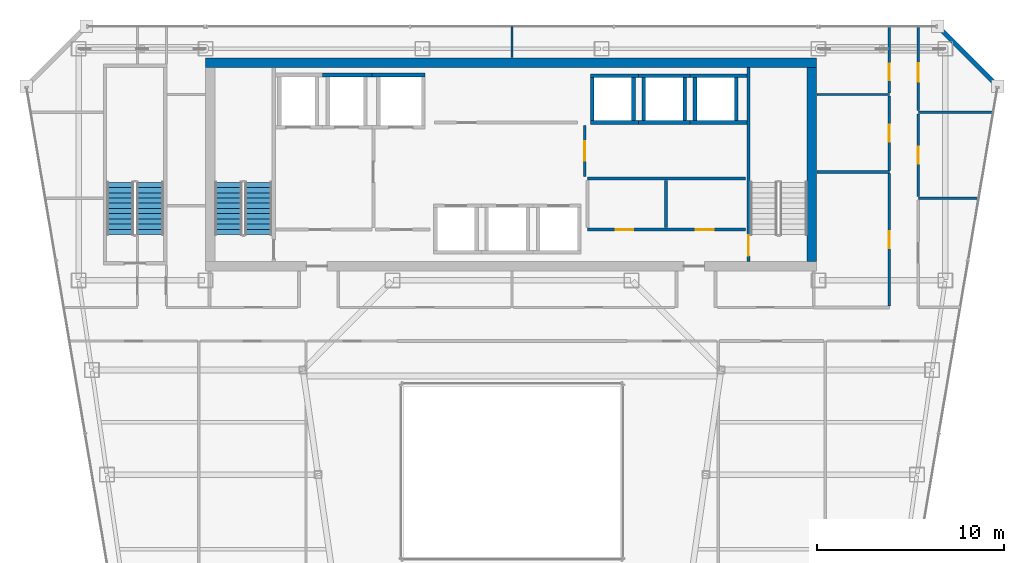
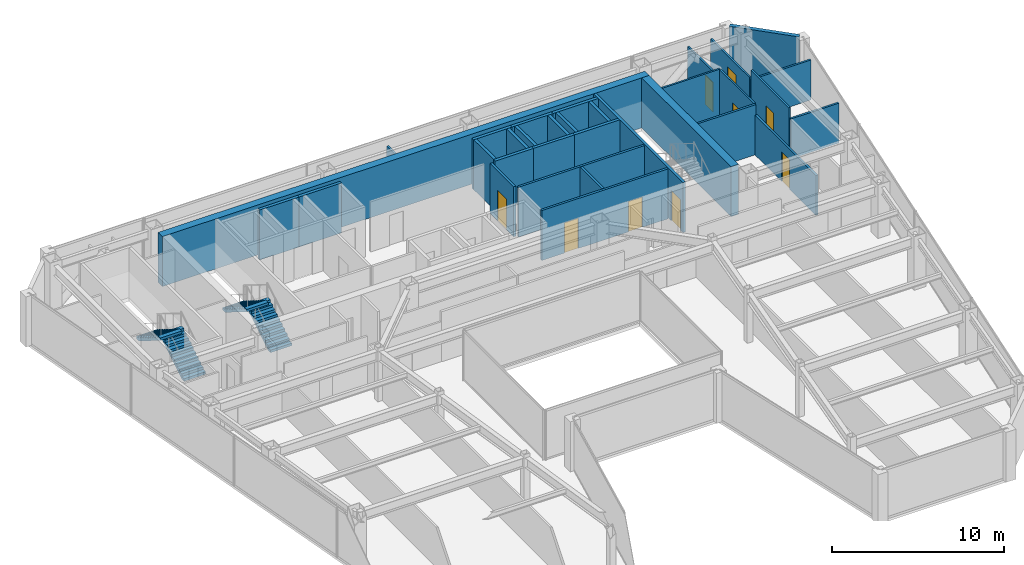
# One storey, part 32 of 36: 32 walls, 9 doors, 4 stair flights, 9 openings, 2 elements without a shape of their own.
"""IFC4 building model written with IfcOpenShell, lengths in metres."""

from ifc_helpers import new_model, si_unit, direction, frame, frame_2d, origin, place, context, subcontext, project, spatial, polyline, rectangle, outline, extrude, material, layer, layer_set, type_object, element, fill, aggregate, save


model = new_model("IFC4")

# Units and contexts
model_context = context("Model", 3, precision=1e-05, world=origin(), true_north=direction((0.0, 1.0)))
body_context = subcontext(model_context, "Body", "Model", "MODEL_VIEW")
ifc_project = project(units=[si_unit("LENGTHUNIT", "METRE"), si_unit("AREAUNIT", "SQUARE_METRE"), si_unit("VOLUMEUNIT", "CUBIC_METRE"), si_unit("PLANEANGLEUNIT", "RADIAN"), si_unit("MASSUNIT", "GRAM", prefix="KILO")], contexts=[model_context])

# Site, building, storey
site_placement = place(None, origin())
site = spatial("IfcSite", under=ifc_project, at=site_placement, CompositionType="ELEMENT")
building_placement = place(site_placement, origin())
building = spatial("IfcBuilding", under=site, at=building_placement, Name="Saevonmaru Cultural Tower", CompositionType="ELEMENT")
storey_placement = place(building_placement, frame((0.0, 0.0, 186.60009765625)))
storey = spatial("IfcBuildingStorey", under=building, at=storey_placement, Name="L42", CompositionType="ELEMENT", Elevation=186.60009765625)

# Walls
ifc_material_1 = material(Name="Concrete C60/75", Category="concrete")
ifc_layer_1 = layer(ifc_material_1, 0.5, Name="Concrete C60/75")
ifc_layer_set_1 = layer_set([ifc_layer_1], Name="Concrete C60/75")
wall_type_1 = type_object("IfcWallType", Name="WL-CORE-500", PredefinedType="SHEAR", material=ifc_layer_set_1)
wall_1_placement = place(storey_placement, frame((13.60009765625, 54.050048828125, 0.0), z_axis=(0.0, 0.0, 1.0), x_axis=(1.0, 0.0, 0.0)))
element("IfcWall", 1, at=wall_1_placement, inside=storey, type_object=wall_type_1, Name="L42 Tower RC core shear wall N", PredefinedType="SHEAR", context=body_context, shape_type="SweptSolid", body=[
    extrude(rectangle(XDim=32.699951171875, YDim=0.5, at=frame_2d((16.35009765625, 0.0))), origin(), (0.0, 0.0, 1.0), 3.5498046875),
])
wall_2_placement = place(storey_placement, frame((46.050048828125, 43.39990234375, 0.0), z_axis=(0.0, 0.0, 1.0), x_axis=(0.0, 1.0, 0.0)))
element("IfcWall", 2, at=wall_2_placement, inside=storey, type_object=wall_type_1, Name="L42 Tower RC core shear wall E", PredefinedType="SHEAR", context=body_context, shape_type="SweptSolid", body=[
    extrude(rectangle(XDim=10.400146484375, YDim=0.5, at=frame_2d((5.2001953125, 0.0))), origin(), (0.0, 0.0, 1.0), 3.5498046875),
])

# Wall, opening, door
ifc_material_2 = material(Name="Gypsum Fireboard Partition", Category="gypsum")
ifc_layer_2 = layer(ifc_material_2, 0.14990234375, Name="Gypsum Fireboard Partition")
ifc_layer_set_2 = layer_set([ifc_layer_2], Name="Gypsum Fireboard Partition")
wall_type_2 = type_object("IfcWallType", Name="WL-CORE-PART-150", PredefinedType="PARTITIONING", material=ifc_layer_set_2)
wall_3_placement = place(storey_placement, frame((33.89990234375, 47.949951171875, 0.0), z_axis=(0.0, 0.0, 1.0), x_axis=(0.0, 1.0, 0.0)))
wall_3 = element("IfcWall", 3, at=wall_3_placement, inside=storey, type_object=wall_type_2, Name="L42 Zone Lobby Divider", PredefinedType="PARTITIONING", context=body_context, shape_type="SweptSolid", body=[
    extrude(rectangle(XDim=2.75, YDim=0.14990234375, at=frame_2d((1.375, 0.0))), origin(), (0.0, 0.0, 1.0), 3.5498046875),
])
opening_1_placement = place(wall_3_placement, frame((0.85009765625, 0.0, 0.0)))
opening_1 = element("IfcOpeningElement", 4, at=opening_1_placement, cuts=wall_3, Name="Opening ID-1", PredefinedType="OPENING", context=body_context, shape_type="SweptSolid", body=[
    extrude(rectangle(XDim=1.050048828125, YDim=2.14990234375, at=frame_2d((0.52490234375, 1.074951171875))), frame((0.0, 0.0849609375, 0.0), z_axis=(0.0, -1.0, 0.0), x_axis=(1.0, 0.0, 0.0)), (0.0, 0.0, 1.0), 0.169921875),
])
ifc_material_3 = material(Name="Satin Bronze Anodised Aluminium", Category="aluminium")
door_type_1 = type_object("IfcDoorType", Name="DR-INT-1050", OperationType="SINGLE_SWING_LEFT", PredefinedType="DOOR", material=ifc_material_3)
door_1_placement = place(opening_1_placement, origin())
door_1 = element("IfcDoor", 5, at=door_1_placement, inside=storey, type_object=door_type_1, Name="L42 Inter-Lobby Link Door", OperationType="SINGLE_SWING_LEFT", OverallHeight=2.14990234375, OverallWidth=1.050048828125, PredefinedType="DOOR", context=body_context, shape_type="SweptSolid", body=[
    extrude(rectangle(XDim=1.050048828125, YDim=2.14990234375, at=frame_2d((0.52490234375, 1.074951171875))), frame((0.0, 0.02490234375, 0.0), z_axis=(0.0, -1.0, 0.0), x_axis=(1.0, 0.0, 0.0)), (0.0, 0.0, 1.0), 0.050048828125),
])
fill(opening_1, door_1)

# Wall, openings, doors
wall_4_placement = place(storey_placement, frame((34.050048828125, 45.1201171875, 0.0), z_axis=(0.0, 0.0, 1.0), x_axis=(1.0, 0.0, 0.0)))
wall_4 = element("IfcWall", 6, at=wall_4_placement, inside=storey, type_object=wall_type_2, Name="L42 Core Plant South Wall", PredefinedType="PARTITIONING", context=body_context, shape_type="SweptSolid", body=[
    extrude(rectangle(XDim=8.449951171875, YDim=0.14990234375, at=frame_2d((4.22509765625, 0.0))), origin(), (0.0, 0.0, 1.0), 3.5498046875),
])
opening_2_placement = place(wall_4_placement, frame((1.5, 0.0, 0.0)))
opening_2 = element("IfcOpeningElement", 7, at=opening_2_placement, cuts=wall_4, Name="Opening FD-4", PredefinedType="OPENING", context=body_context, shape_type="SweptSolid", body=[
    extrude(rectangle(XDim=0.949951171875, YDim=2.14990234375, at=frame_2d((0.47509765625, 1.074951171875))), frame((0.0, 0.0849609375, 0.0), z_axis=(0.0, -1.0, 0.0), x_axis=(1.0, 0.0, 0.0)), (0.0, 0.0, 1.0), 0.169921875),
])
opening_3_placement = place(wall_4_placement, frame((5.800048828125, 0.0, 0.0)))
opening_3 = element("IfcOpeningElement", 8, at=opening_3_placement, cuts=wall_4, Name="Opening FD-4", PredefinedType="OPENING", context=body_context, shape_type="SweptSolid", body=[
    extrude(rectangle(XDim=0.949951171875, YDim=2.14990234375, at=frame_2d((0.47509765625, 1.074951171875))), frame((0.0, 0.0849609375, 0.0), z_axis=(0.0, -1.0, 0.0), x_axis=(1.0, 0.0, 0.0)), (0.0, 0.0, 1.0), 0.169921875),
])
door_type_2 = type_object("IfcDoorType", Name="DR-FD60-950", OperationType="SINGLE_SWING_LEFT", PredefinedType="DOOR", material=ifc_material_3)
door_2_placement = place(opening_2_placement, origin())
door_2 = element("IfcDoor", 9, at=door_2_placement, inside=storey, type_object=door_type_2, Name="L42 Floor AHU Plant Door", OperationType="SINGLE_SWING_LEFT", OverallHeight=2.14990234375, OverallWidth=0.949951171875, PredefinedType="DOOR", context=body_context, shape_type="SweptSolid", body=[
    extrude(rectangle(XDim=0.949951171875, YDim=2.14990234375, at=frame_2d((0.47509765625, 1.074951171875))), frame((0.0, 0.02490234375, 0.0), z_axis=(0.0, -1.0, 0.0), x_axis=(1.0, 0.0, 0.0)), (0.0, 0.0, 1.0), 0.050048828125),
])
fill(opening_2, door_2)
door_3_placement = place(opening_3_placement, origin())
door_3 = element("IfcDoor", 10, at=door_3_placement, inside=storey, type_object=door_type_2, Name="L42 Housekeeping Storage Door", OperationType="SINGLE_SWING_LEFT", OverallHeight=2.14990234375, OverallWidth=0.949951171875, PredefinedType="DOOR", context=body_context, shape_type="SweptSolid", body=[
    extrude(rectangle(XDim=0.949951171875, YDim=2.14990234375, at=frame_2d((0.47509765625, 1.074951171875))), frame((0.0, 0.02490234375, 0.0), z_axis=(0.0, -1.0, 0.0), x_axis=(1.0, 0.0, 0.0)), (0.0, 0.0, 1.0), 0.050048828125),
])
fill(opening_3, door_3)

# Walls
wall_5_placement = place(storey_placement, frame((34.050048828125, 47.85009765625, 0.0), z_axis=(0.0, 0.0, 1.0), x_axis=(1.0, 0.0, 0.0)))
element("IfcWall", 11, at=wall_5_placement, inside=storey, type_object=wall_type_2, Name="L42 Core Plant North Wall", PredefinedType="PARTITIONING", context=body_context, shape_type="SweptSolid", body=[
    extrude(rectangle(XDim=8.449951171875, YDim=0.14990234375, at=frame_2d((4.22509765625, 0.0))), origin(), (0.0, 0.0, 1.0), 3.5498046875),
])
wall_6_placement = place(storey_placement, frame((38.25, 45.219970703125, 0.0), z_axis=(0.0, 0.0, 1.0), x_axis=(0.0, 1.0, 0.0)))
element("IfcWall", 12, at=wall_6_placement, inside=storey, type_object=wall_type_2, Name="L42 Core Plant Split", PredefinedType="PARTITIONING", context=body_context, shape_type="SweptSolid", body=[
    extrude(rectangle(XDim=2.530029296875, YDim=0.14990234375, at=frame_2d((1.26513671875, 0.0))), origin(), (0.0, 0.0, 1.0), 3.5498046875),
])
ifc_material_4 = material(Name="Granite-Clad Precast Concrete C40/50", Category="masonry")
ifc_layer_3 = layer(ifc_material_4, 0.260009765625, Name="Granite-Clad Precast Concrete C40/50")
ifc_layer_set_3 = layer_set([ifc_layer_3], Name="Granite-Clad Precast Concrete C40/50")
wall_type_3 = type_object("IfcWallType", Name="WL-EXT-SPANDREL-260", PredefinedType="STANDARD", material=ifc_layer_set_3)
wall_7_placement = place(storey_placement, frame((55.886962890625, 52.9130859375, 0.0), z_axis=(0.0, 0.0, 1.0), x_axis=(-0.707106781187, 0.707106781187, 0.0)))
element("IfcWall", 13, at=wall_7_placement, inside=storey, type_object=wall_type_3, Name="L42 Chamfer Corner Spandrel Wall E9", PredefinedType="STANDARD", context=body_context, shape_type="SweptSolid", body=[
    extrude(rectangle(XDim=4.205810546875, YDim=0.260009765625, at=frame_2d((2.10302734375, 0.0))), origin(), (0.0, 0.0, 1.0), 3.5498046875),
])
ifc_layer_4 = layer(ifc_material_2, 0.1201171875, Name="Gypsum Fireboard Partition")
ifc_layer_set_4 = layer_set([ifc_layer_4], Name="Gypsum Fireboard Partition")
wall_type_4 = type_object("IfcWallType", Name="WL-PART-GYP-120", PredefinedType="PARTITIONING", material=ifc_layer_set_4)
wall_8_placement = place(storey_placement, frame((46.320068359375, 52.35009765625, 0.0), z_axis=(0.0, 0.0, 1.0), x_axis=(1.0, 0.0, 0.0)))
element("IfcWall", 14, at=wall_8_placement, inside=storey, type_object=wall_type_4, Name="L42 North-East Panorama South Wall", PredefinedType="PARTITIONING", context=body_context, shape_type="SweptSolid", body=[
    extrude(rectangle(XDim=3.8798828125, YDim=0.1201171875, at=frame_2d((1.93994140625, 0.0))), origin(), (0.0, 0.0, 1.0), 3.5498046875),
])
wall_9_placement = place(storey_placement, frame((30.0, 54.320068359375, 0.0), z_axis=(0.0, 0.0, 1.0), x_axis=(0.0, 1.0, 0.0)))
element("IfcWall", 15, at=wall_9_placement, inside=storey, type_object=wall_type_4, Name="L42 North Panorama Center Split", PredefinedType="PARTITIONING", context=body_context, shape_type="SweptSolid", body=[
    extrude(rectangle(XDim=1.675048828125, YDim=0.1201171875, at=frame_2d((0.83740234375, 0.0))), origin(), (0.0, 0.0, 1.0), 2.934814453125),
])

# Wall, opening, door
wall_10_placement = place(storey_placement, frame((50.199951171875, 48.2900390625, 0.0), z_axis=(0.0, 0.0, 1.0), x_axis=(0.0, 1.0, 0.0)))
wall_10 = element("IfcWall", 16, at=wall_10_placement, inside=storey, type_object=wall_type_4, Name="L42 Curatorial Research Office Corridor Wall", PredefinedType="PARTITIONING", context=body_context, shape_type="SweptSolid", body=[
    extrude(rectangle(XDim=3.97998046875, YDim=0.1201171875, at=frame_2d((1.989990234375, 0.0))), origin(), (0.0, 0.0, 1.0), 3.5498046875),
])
opening_4_placement = place(wall_10_placement, frame((1.5400390625, 0.0, 0.0)))
opening_4 = element("IfcOpeningElement", 17, at=opening_4_placement, cuts=wall_10, Name="Opening ID-2", PredefinedType="OPENING", context=body_context, shape_type="SweptSolid", body=[
    extrude(rectangle(XDim=0.89990234375, YDim=2.10009765625, at=frame_2d((0.449951171875, 1.050048828125))), frame((0.0, 0.070068359375, 0.0), z_axis=(0.0, -1.0, 0.0), x_axis=(1.0, 0.0, 0.0)), (0.0, 0.0, 1.0), 0.14013671875),
])
ifc_material_5 = material(Name="Acoustic Stained Oak Timber", Category="wood")
door_type_3 = type_object("IfcDoorType", Name="DR-INT-900", OperationType="SINGLE_SWING_RIGHT", PredefinedType="DOOR", material=ifc_material_5)
door_4_placement = place(opening_4_placement, origin())
door_4 = element("IfcDoor", 18, at=door_4_placement, inside=storey, type_object=door_type_3, Name="L42 Curatorial Research Office Door", OperationType="SINGLE_SWING_LEFT", OverallHeight=2.10009765625, OverallWidth=0.89990234375, PredefinedType="DOOR", context=body_context, shape_type="SweptSolid", body=[
    extrude(rectangle(XDim=0.89990234375, YDim=2.10009765625, at=frame_2d((0.449951171875, 1.050048828125))), frame((0.0, 0.02490234375, 0.0), z_axis=(0.0, -1.0, 0.0), x_axis=(1.0, 0.0, 0.0)), (0.0, 0.0, 1.0), 0.050048828125),
])
fill(opening_4, door_4)

wall_11_placement = place(storey_placement, frame((50.199951171875, 52.429931640625, 0.0), z_axis=(0.0, 0.0, 1.0), x_axis=(0.0, 1.0, 0.0)))
wall_11 = element("IfcWall", 19, at=wall_11_placement, inside=storey, type_object=wall_type_4, Name="L42 Archival Conservation Office Corridor Wall", PredefinedType="PARTITIONING", context=body_context, shape_type="SweptSolid", body=[
    extrude(rectangle(XDim=3.565185546875, YDim=0.1201171875, at=frame_2d((1.78271484375, 0.0))), origin(), (0.0, 0.0, 1.0), 2.934814453125),
])
opening_5_placement = place(wall_11_placement, frame((0.672119140625, 0.0, 0.0)))
opening_5 = element("IfcOpeningElement", 20, at=opening_5_placement, cuts=wall_11, Name="Opening ID-2", PredefinedType="OPENING", context=body_context, shape_type="SweptSolid", body=[
    extrude(rectangle(XDim=0.89990234375, YDim=2.10009765625, at=frame_2d((0.449951171875, 1.050048828125))), frame((0.0, 0.070068359375, 0.0), z_axis=(0.0, -1.0, 0.0), x_axis=(1.0, 0.0, 0.0)), (0.0, 0.0, 1.0), 0.14013671875),
])
door_5_placement = place(opening_5_placement, origin())
door_5 = element("IfcDoor", 21, at=door_5_placement, inside=storey, type_object=door_type_3, Name="L42 Archival Conservation Office Door", OperationType="SINGLE_SWING_RIGHT", OverallHeight=2.10009765625, OverallWidth=0.89990234375, PredefinedType="DOOR", context=body_context, shape_type="SweptSolid", body=[
    extrude(rectangle(XDim=0.89990234375, YDim=2.10009765625, at=frame_2d((0.449951171875, 1.050048828125))), frame((0.0, 0.02490234375, 0.0), z_axis=(0.0, -1.0, 0.0), x_axis=(1.0, 0.0, 0.0)), (0.0, 0.0, 1.0), 0.050048828125),
])
fill(opening_5, door_5)

wall_12_placement = place(storey_placement, frame((51.75, 46.887451171875, 0.0), z_axis=(0.0, 0.0, 1.0), x_axis=(0.0, 1.0, 0.0)))
wall_12 = element("IfcWall", 22, at=wall_12_placement, inside=storey, type_object=wall_type_4, Name="L42 Design Seminar Classroom Corridor Wall", PredefinedType="PARTITIONING", context=body_context, shape_type="SweptSolid", body=[
    extrude(rectangle(XDim=4.425048828125, YDim=0.1201171875, at=frame_2d((2.21240234375, 0.0))), origin(), (0.0, 0.0, 1.0), 3.5498046875),
])
opening_6_placement = place(wall_12_placement, frame((1.761962890625, 0.0, 0.0)))
opening_6 = element("IfcOpeningElement", 23, at=opening_6_placement, cuts=wall_12, Name="Opening ID-2", PredefinedType="OPENING", context=body_context, shape_type="SweptSolid", body=[
    extrude(rectangle(XDim=0.89990234375, YDim=2.10009765625, at=frame_2d((0.449951171875, 1.050048828125))), frame((0.0, 0.070068359375, 0.0), z_axis=(0.0, -1.0, 0.0), x_axis=(1.0, 0.0, 0.0)), (0.0, 0.0, 1.0), 0.14013671875),
])
door_6_placement = place(opening_6_placement, origin())
door_6 = element("IfcDoor", 24, at=door_6_placement, inside=storey, type_object=door_type_3, Name="L42 Design Seminar Classroom Door", OperationType="SINGLE_SWING_RIGHT", OverallHeight=2.10009765625, OverallWidth=0.89990234375, PredefinedType="DOOR", context=body_context, shape_type="SweptSolid", body=[
    extrude(rectangle(XDim=0.89990234375, YDim=2.10009765625, at=frame_2d((0.449951171875, 1.050048828125))), frame((0.0, 0.02490234375, 0.0), z_axis=(0.0, -1.0, 0.0), x_axis=(1.0, 0.0, 0.0)), (0.0, 0.0, 1.0), 0.050048828125),
])
fill(opening_6, door_6)

wall_13_placement = place(storey_placement, frame((51.75, 51.487548828125, 0.0), z_axis=(0.0, 0.0, 1.0), x_axis=(0.0, 1.0, 0.0)))
wall_13 = element("IfcWall", 25, at=wall_13_placement, inside=storey, type_object=wall_type_4, Name="L42 Museum Espresso Cafe Corridor Wall", PredefinedType="PARTITIONING", context=body_context, shape_type="SweptSolid", body=[
    extrude(rectangle(XDim=4.507568359375, YDim=0.1201171875, at=frame_2d((2.25390625, 0.0))), origin(), (0.0, 0.0, 1.0), 2.934814453125),
])
opening_7_placement = place(wall_13_placement, frame((1.533935546875, 0.0, 0.0)))
opening_7 = element("IfcOpeningElement", 26, at=opening_7_placement, cuts=wall_13, Name="Opening ID-1B", PredefinedType="OPENING", context=body_context, shape_type="SweptSolid", body=[
    extrude(rectangle(XDim=1.0, YDim=2.14990234375, at=frame_2d((0.5, 1.074951171875))), frame((0.0, 0.070068359375, 0.0), z_axis=(0.0, -1.0, 0.0), x_axis=(1.0, 0.0, 0.0)), (0.0, 0.0, 1.0), 0.14013671875),
])
door_type_4 = type_object("IfcDoorType", Name="DR-INT-1000", OperationType="SINGLE_SWING_RIGHT", PredefinedType="DOOR", material=ifc_material_5)
door_7_placement = place(opening_7_placement, origin())
door_7 = element("IfcDoor", 27, at=door_7_placement, inside=storey, type_object=door_type_4, Name="L42 Museum Espresso Cafe Door", OperationType="SINGLE_SWING_LEFT", OverallHeight=2.14990234375, OverallWidth=1.0, PredefinedType="DOOR", context=body_context, shape_type="SweptSolid", body=[
    extrude(rectangle(XDim=1.0, YDim=2.14990234375, at=frame_2d((0.5, 1.074951171875))), frame((0.0, 0.02490234375, 0.0), z_axis=(0.0, -1.0, 0.0), x_axis=(1.0, 0.0, 0.0)), (0.0, 0.0, 1.0), 0.050048828125),
])
fill(opening_7, door_7)

# Walls
ifc_layer_5 = layer(ifc_material_2, 0.135009765625, Name="Gypsum Fireboard Partition")
ifc_layer_set_5 = layer_set([ifc_layer_5], Name="Gypsum Fireboard Partition")
wall_type_5 = type_object("IfcWallType", Name="WL-PART-GYP-135", PredefinedType="PARTITIONING", material=ifc_layer_set_5)
wall_14_placement = place(storey_placement, frame((51.75, 46.800048828125, 0.0), z_axis=(0.0, 0.0, 1.0), x_axis=(1.0, 0.0, 0.0)))
element("IfcWall", 28, at=wall_14_placement, inside=storey, type_object=wall_type_5, Name="L42 NE Studio Divider 1", PredefinedType="PARTITIONING", context=body_context, shape_type="SweptSolid", body=[
    extrude(rectangle(XDim=3.229248046875, YDim=0.135009765625, at=frame_2d((1.61474609375, 0.0))), origin(), (0.0, 0.0, 1.0), 2.8349609375),
])
wall_15_placement = place(storey_placement, frame((51.75, 51.39990234375, 0.0), z_axis=(0.0, 0.0, 1.0), x_axis=(1.0, 0.0, 0.0)))
element("IfcWall", 29, at=wall_15_placement, inside=storey, type_object=wall_type_5, Name="L42 NE Studio Divider 2", PredefinedType="PARTITIONING", context=body_context, shape_type="SweptSolid", body=[
    extrude(rectangle(XDim=4.0078125, YDim=0.135009765625, at=frame_2d((2.00390625, 0.0))), origin(), (0.0, 0.0, 1.0), 2.8349609375),
])
ifc_layer_6 = layer(ifc_material_2, 0.139892578125, Name="Gypsum Fireboard Partition")
ifc_layer_set_6 = layer_set([ifc_layer_6], Name="Gypsum Fireboard Partition")
wall_type_6 = type_object("IfcWallType", Name="WL-PART-WET-140", PredefinedType="PARTITIONING", material=ifc_layer_set_6)
wall_16_placement = place(storey_placement, frame((46.320068359375, 48.199951171875, 0.0), z_axis=(0.0, 0.0, 1.0), x_axis=(1.0, 0.0, 0.0)))
element("IfcWall", 30, at=wall_16_placement, inside=storey, type_object=wall_type_6, Name="L42 Washroom North Wall", PredefinedType="PARTITIONING", context=body_context, shape_type="SweptSolid", body=[
    extrude(rectangle(XDim=3.8798828125, YDim=0.139892578125, at=frame_2d((1.93994140625, 0.0))), origin(), (0.0, 0.0, 1.0), 3.5498046875),
])

# Wall, opening, door
wall_17_placement = place(storey_placement, frame((50.199951171875, 41.0400390625, 0.0), z_axis=(0.0, 0.0, 1.0), x_axis=(0.0, 1.0, 0.0)))
wall_17 = element("IfcWall", 31, at=wall_17_placement, inside=storey, type_object=wall_type_6, Name="L42 Washroom Corridor Wall", PredefinedType="PARTITIONING", context=body_context, shape_type="SweptSolid", body=[
    extrude(rectangle(XDim=7.070068359375, YDim=0.139892578125, at=frame_2d((3.53515625, 0.0))), origin(), (0.0, 0.0, 1.0), 2.8349609375),
])
opening_8_placement = place(wall_17_placement, frame((3.0849609375, 0.0, 0.0)))
opening_8 = element("IfcOpeningElement", 32, at=opening_8_placement, cuts=wall_17, Name="Opening ID-2", PredefinedType="OPENING", context=body_context, shape_type="SweptSolid", body=[
    extrude(rectangle(XDim=0.89990234375, YDim=2.10009765625, at=frame_2d((0.449951171875, 1.050048828125))), frame((0.0, 0.080078125, 0.0), z_axis=(0.0, -1.0, 0.0), x_axis=(1.0, 0.0, 0.0)), (0.0, 0.0, 1.0), 0.159912109375),
])
door_8_placement = place(opening_8_placement, origin())
door_8 = element("IfcDoor", 33, at=door_8_placement, inside=storey, type_object=door_type_3, Name="L42 Public Accessible Washrooms Door", OperationType="SINGLE_SWING_RIGHT", OverallHeight=2.10009765625, OverallWidth=0.89990234375, PredefinedType="DOOR", context=body_context, shape_type="SweptSolid", body=[
    extrude(rectangle(XDim=0.89990234375, YDim=2.10009765625, at=frame_2d((0.449951171875, 1.050048828125))), frame((0.0, 0.02490234375, 0.0), z_axis=(0.0, -1.0, 0.0), x_axis=(1.0, 0.0, 0.0)), (0.0, 0.0, 1.0), 0.050048828125),
])
fill(opening_8, door_8)

# Walls
ifc_material_6 = material(Name="Concrete C40/50", Category="concrete")
ifc_layer_7 = layer(ifc_material_6, 0.199951171875, Name="Concrete C40/50")
ifc_layer_set_7 = layer_set([ifc_layer_7], Name="Concrete C40/50")
wall_type_7 = type_object("IfcWallType", Name="WL-SHAFT-200", PredefinedType="SHEAR", material=ifc_layer_set_7)
wall_18_placement = place(storey_placement, frame((19.85009765625, 53.39990234375, 0.0), z_axis=(0.0, 0.0, 1.0), x_axis=(1.0, 0.0, 0.0)))
element("IfcWall", 34, at=wall_18_placement, inside=storey, type_object=wall_type_7, Name="L42 Lift FFL-2 Hoistway Wall N", PredefinedType="SHEAR", context=body_context, shape_type="SweptSolid", body=[
    extrude(rectangle(XDim=2.64990234375, YDim=0.199951171875, at=frame_2d((1.324951171875, 0.0))), origin(), (0.0, 0.0, 1.0), 3.5498046875),
])
wall_19_placement = place(storey_placement, frame((22.5, 53.39990234375, 0.0), z_axis=(0.0, 0.0, 1.0), x_axis=(1.0, 0.0, 0.0)))
element("IfcWall", 35, at=wall_19_placement, inside=storey, type_object=wall_type_7, Name="L42 Lift GL-1 Hoistway Wall N", PredefinedType="SHEAR", context=body_context, shape_type="SweptSolid", body=[
    extrude(rectangle(XDim=2.85009765625, YDim=0.199951171875, at=frame_2d((1.425048828125, 0.0))), origin(), (0.0, 0.0, 1.0), 3.5498046875),
])
for number, where, z_axis, x_axis, name in (
    (36, (34.199951171875, 50.85009765625, 0.0), (0.0, 0.0, 1.0), (1.0, 0.0, 0.0), "L42 Lift PL-H1 Hoistway Wall S"),
    (37, (34.199951171875, 53.35009765625, 0.0), (0.0, 0.0, 1.0), (1.0, 0.0, 0.0), "L42 Lift PL-H1 Hoistway Wall N"),
):
    element("IfcWall", number, at=place(storey_placement, frame(where, z_axis=z_axis, x_axis=x_axis)), inside=storey, type_object=wall_type_7, Name=name, PredefinedType="SHEAR", context=body_context, shape_type="SweptSolid", body=[
        extrude(rectangle(XDim=2.574951171875, YDim=0.199951171875, at=frame_2d((1.28759765625, 0.0))), origin(), (0.0, 0.0, 1.0), 3.5498046875),
    ])
for number, where, z_axis, x_axis, name in (
    (38, (34.300048828125, 50.949951171875, 0.0), (0.0, 0.0, 1.0), (0.0, 1.0, 0.0), "L42 Lift PL-H1 Hoistway Wall W"),
    (39, (36.5, 50.949951171875, 0.0), (0.0, 0.0, 1.0), (0.0, 1.0, 0.0), "L42 Lift PL-H1 Hoistway Wall E"),
):
    element("IfcWall", number, at=place(storey_placement, frame(where, z_axis=z_axis, x_axis=x_axis)), inside=storey, type_object=wall_type_7, Name=name, PredefinedType="SHEAR", context=body_context, shape_type="SweptSolid", body=[
        extrude(rectangle(XDim=2.300048828125, YDim=0.199951171875, at=frame_2d((1.14990234375, 0.0))), origin(), (0.0, 0.0, 1.0), 3.5498046875),
    ])
for number, where, z_axis, x_axis, name in (
    (40, (36.77490234375, 50.85009765625, 0.0), (0.0, 0.0, 1.0), (1.0, 0.0, 0.0), "L42 Lift PL-H2 Hoistway Wall S"),
    (41, (36.77490234375, 53.35009765625, 0.0), (0.0, 0.0, 1.0), (1.0, 0.0, 0.0), "L42 Lift PL-H2 Hoistway Wall N"),
):
    element("IfcWall", number, at=place(storey_placement, frame(where, z_axis=z_axis, x_axis=x_axis)), inside=storey, type_object=wall_type_7, Name=name, PredefinedType="SHEAR", context=body_context, shape_type="SweptSolid", body=[
        extrude(rectangle(XDim=2.75, YDim=0.199951171875, at=frame_2d((1.375, 0.0))), origin(), (0.0, 0.0, 1.0), 3.5498046875),
    ])
for number, where, z_axis, x_axis, name in (
    (42, (37.050048828125, 50.949951171875, 0.0), (0.0, 0.0, 1.0), (0.0, 1.0, 0.0), "L42 Lift PL-H2 Hoistway Wall W"),
    (43, (39.25, 50.949951171875, 0.0), (0.0, 0.0, 1.0), (0.0, 1.0, 0.0), "L42 Lift PL-H2 Hoistway Wall E"),
):
    element("IfcWall", number, at=place(storey_placement, frame(where, z_axis=z_axis, x_axis=x_axis)), inside=storey, type_object=wall_type_7, Name=name, PredefinedType="SHEAR", context=body_context, shape_type="SweptSolid", body=[
        extrude(rectangle(XDim=2.300048828125, YDim=0.199951171875, at=frame_2d((1.14990234375, 0.0))), origin(), (0.0, 0.0, 1.0), 3.5498046875),
    ])
for number, where, z_axis, x_axis, name in (
    (44, (39.52490234375, 50.85009765625, 0.0), (0.0, 0.0, 1.0), (1.0, 0.0, 0.0), "L42 Lift PL-H3 Hoistway Wall S"),
    (45, (39.52490234375, 53.35009765625, 0.0), (0.0, 0.0, 1.0), (1.0, 0.0, 0.0), "L42 Lift PL-H3 Hoistway Wall N"),
):
    element("IfcWall", number, at=place(storey_placement, frame(where, z_axis=z_axis, x_axis=x_axis)), inside=storey, type_object=wall_type_7, Name=name, PredefinedType="SHEAR", context=body_context, shape_type="SweptSolid", body=[
        extrude(rectangle(XDim=3.045166015625, YDim=0.199951171875, at=frame_2d((1.5224609375, 0.0))), origin(), (0.0, 0.0, 1.0), 3.5498046875),
    ])
for number, where, z_axis, x_axis, name in (
    (46, (39.800048828125, 50.949951171875, 0.0), (0.0, 0.0, 1.0), (0.0, 1.0, 0.0), "L42 Lift PL-H3 Hoistway Wall W"),
    (47, (42.0, 50.949951171875, 0.0), (0.0, 0.0, 1.0), (0.0, 1.0, 0.0), "L42 Lift PL-H3 Hoistway Wall E"),
):
    element("IfcWall", number, at=place(storey_placement, frame(where, z_axis=z_axis, x_axis=x_axis)), inside=storey, type_object=wall_type_7, Name=name, PredefinedType="SHEAR", context=body_context, shape_type="SweptSolid", body=[
        extrude(rectangle(XDim=2.300048828125, YDim=0.199951171875, at=frame_2d((1.14990234375, 0.0))), origin(), (0.0, 0.0, 1.0), 3.5498046875),
    ])

# Wall, opening, door
ifc_layer_8 = layer(ifc_material_6, 0.179931640625, Name="Concrete C40/50")
ifc_layer_set_8 = layer_set([ifc_layer_8], Name="Concrete C40/50")
wall_type_8 = type_object("IfcWallType", Name="WL-STSHAFT-180", PredefinedType="SHEAR", material=ifc_layer_set_8)
wall_20_placement = place(storey_placement, frame((42.659912109375, 53.800048828125, 0.0), z_axis=(0.0, 0.0, 1.0), x_axis=(0.0, -1.0, 0.0)))
wall_20 = element("IfcWall", 48, at=wall_20_placement, inside=storey, type_object=wall_type_8, Name="L42 Stair ST-2 Structural Shaft Wall 1", PredefinedType="SHEAR", context=body_context, shape_type="SweptSolid", body=[
    extrude(rectangle(XDim=10.400146484375, YDim=0.179931640625, at=frame_2d((5.2001953125, 0.0))), origin(), (0.0, 0.0, 1.0), 3.5498046875),
])
opening_9_placement = place(wall_20_placement, frame((8.989990234375, 0.0, 0.0)))
opening_9 = element("IfcOpeningElement", 49, at=opening_9_placement, cuts=wall_20, Name="Opening FD-2", PredefinedType="OPENING", context=body_context, shape_type="SweptSolid", body=[
    extrude(rectangle(XDim=1.10009765625, YDim=2.14990234375, at=frame_2d((0.550048828125, 1.074951171875))), frame((0.0, 0.10009765625, 0.0), z_axis=(0.0, -1.0, 0.0), x_axis=(1.0, 0.0, 0.0)), (0.0, 0.0, 1.0), 0.199951171875),
])
door_type_5 = type_object("IfcDoorType", Name="DR-FD60-1100", OperationType="SINGLE_SWING_LEFT", PredefinedType="DOOR", material=ifc_material_3)
door_9_placement = place(opening_9_placement, origin())
door_9 = element("IfcDoor", 50, at=door_9_placement, inside=storey, type_object=door_type_5, Name="L42 Protected Stair ST-2 Fire Door", OperationType="SINGLE_SWING_LEFT", OverallHeight=2.14990234375, OverallWidth=1.10009765625, PredefinedType="DOOR", context=body_context, shape_type="SweptSolid", body=[
    extrude(rectangle(XDim=1.10009765625, YDim=2.14990234375, at=frame_2d((0.550048828125, 1.074951171875))), frame((0.0, 0.02490234375, 0.0), z_axis=(0.0, -1.0, 0.0), x_axis=(1.0, 0.0, 0.0)), (0.0, 0.0, 1.0), 0.050048828125),
])
fill(opening_9, door_9)

# Stair, stair flights
stair_type = type_object("IfcStairType", Name="STR-DOGLEG-RC", PredefinedType="HALF_TURN_STAIR", material=ifc_material_6)
stair_1_placement = place(storey_placement, origin())
stair_1 = element("IfcStair", 51, at=stair_1_placement, inside=storey, type_object=stair_type, Name="L42 Protected exit stair ST-1", PredefinedType="HALF_TURN_STAIR")
ifc_material_7 = material(Name="Precast concrete C40/50", Category="concrete")
stair_flight_type = type_object("IfcStairFlightType", Name="STF-PRECAST-180", PredefinedType="STRAIGHT", material=ifc_material_7)
stair_flight_1_placement = place(storey_placement, frame((16.425048828125, 44.85009765625, 0.0), z_axis=(0.0, 0.0, 1.0), x_axis=(0.0, 1.0, 0.0)))
stair_flight_1 = element("IfcStairFlight", 52, at=stair_flight_1_placement, type_object=stair_flight_type, Name="ST-1-L42 flight 1", NumberOfRisers=11, NumberOfTreads=10, PredefinedType="STRAIGHT", RiserHeight=0.172727273, TreadLength=0.28, context=body_context, shape_type="SweptSolid", body=[
    extrude(outline(polyline([(0.0, 0.0), (0.0, 0.172607421875), (0.280029296875, 0.172607421875), (0.280029296875, 0.345458984375), (0.56005859375, 0.345458984375), (0.56005859375, 0.51806640625), (0.840087890625, 0.51806640625), (0.840087890625, 0.69091796875), (1.1201171875, 0.69091796875), (1.1201171875, 0.863525390625), (1.39990234375, 0.863525390625), (1.39990234375, 1.036376953125), (1.679931640625, 1.036376953125), (1.679931640625, 1.208984375), (1.9599609375, 1.208984375), (1.9599609375, 1.3818359375), (2.239990234375, 1.3818359375), (2.239990234375, 1.554443359375), (2.52001953125, 1.554443359375), (2.52001953125, 1.727294921875), (2.800048828125, 1.727294921875), (2.800048828125, 1.89990234375), (2.800048828125, 1.551025390625), (0.285400390625, 0.0), (0.0, 0.0)])), frame((0.0, 0.72509765625, 0.0), z_axis=(0.0, -1.0, 0.0), x_axis=(1.0, 0.0, 0.0)), (0.0, 0.0, 1.0), 1.449951171875),
])
stair_flight_2_placement = place(storey_placement, frame((14.824951171875, 47.64990234375, 1.89990234375), z_axis=(0.0, 0.0, 1.0), x_axis=(0.0, -1.0, 0.0)))
stair_flight_2 = element("IfcStairFlight", 53, at=stair_flight_2_placement, type_object=stair_flight_type, Name="ST-1-L42 flight 2", NumberOfRisers=11, NumberOfTreads=10, PredefinedType="STRAIGHT", RiserHeight=0.172727273, TreadLength=0.28, context=body_context, shape_type="SweptSolid", body=[
    extrude(outline(polyline([(0.0, 0.0), (0.0, 0.172607421875), (0.280029296875, 0.172607421875), (0.280029296875, 0.345458984375), (0.56005859375, 0.345458984375), (0.56005859375, 0.51806640625), (0.840087890625, 0.51806640625), (0.840087890625, 0.69091796875), (1.1201171875, 0.69091796875), (1.1201171875, 0.863525390625), (1.39990234375, 0.863525390625), (1.39990234375, 1.036376953125), (1.679931640625, 1.036376953125), (1.679931640625, 1.208984375), (1.9599609375, 1.208984375), (1.9599609375, 1.3818359375), (2.239990234375, 1.3818359375), (2.239990234375, 1.554443359375), (2.52001953125, 1.554443359375), (2.52001953125, 1.727294921875), (2.800048828125, 1.727294921875), (2.800048828125, 1.89990234375), (2.800048828125, 1.551025390625), (0.285400390625, 0.0), (0.0, 0.0)])), frame((0.0, 0.72509765625, 0.0), z_axis=(0.0, -1.0, 0.0), x_axis=(1.0, 0.0, 0.0)), (0.0, 0.0, 1.0), 1.449951171875),
])
aggregate(stair_1, [stair_flight_1, stair_flight_2])

stair_2_placement = place(storey_placement, origin())
stair_2 = element("IfcStair", 54, at=stair_2_placement, inside=storey, type_object=stair_type, Name="L42 Protected exit stair ST-3", PredefinedType="HALF_TURN_STAIR")
stair_flight_3_placement = place(storey_placement, frame((10.625, 44.85009765625, 0.0), z_axis=(0.0, 0.0, 1.0), x_axis=(0.0, 1.0, 0.0)))
stair_flight_3 = element("IfcStairFlight", 55, at=stair_flight_3_placement, type_object=stair_flight_type, Name="ST-3-L42 flight 1", NumberOfRisers=11, NumberOfTreads=10, PredefinedType="STRAIGHT", RiserHeight=0.172727273, TreadLength=0.28, context=body_context, shape_type="SweptSolid", body=[
    extrude(outline(polyline([(0.0, 0.0), (0.0, 0.172607421875), (0.280029296875, 0.172607421875), (0.280029296875, 0.345458984375), (0.56005859375, 0.345458984375), (0.56005859375, 0.51806640625), (0.840087890625, 0.51806640625), (0.840087890625, 0.69091796875), (1.1201171875, 0.69091796875), (1.1201171875, 0.863525390625), (1.39990234375, 0.863525390625), (1.39990234375, 1.036376953125), (1.679931640625, 1.036376953125), (1.679931640625, 1.208984375), (1.9599609375, 1.208984375), (1.9599609375, 1.3818359375), (2.239990234375, 1.3818359375), (2.239990234375, 1.554443359375), (2.52001953125, 1.554443359375), (2.52001953125, 1.727294921875), (2.800048828125, 1.727294921875), (2.800048828125, 1.89990234375), (2.800048828125, 1.551025390625), (0.285400390625, 0.0), (0.0, 0.0)])), frame((0.0, 0.72509765625, 0.0), z_axis=(0.0, -1.0, 0.0), x_axis=(1.0, 0.0, 0.0)), (0.0, 0.0, 1.0), 1.449951171875),
])
stair_flight_4_placement = place(storey_placement, frame((9.02490234375, 47.64990234375, 1.89990234375), z_axis=(0.0, 0.0, 1.0), x_axis=(0.0, -1.0, 0.0)))
stair_flight_4 = element("IfcStairFlight", 56, at=stair_flight_4_placement, type_object=stair_flight_type, Name="ST-3-L42 flight 2", NumberOfRisers=11, NumberOfTreads=10, PredefinedType="STRAIGHT", RiserHeight=0.172727273, TreadLength=0.28, context=body_context, shape_type="SweptSolid", body=[
    extrude(outline(polyline([(0.0, 0.0), (0.0, 0.172607421875), (0.280029296875, 0.172607421875), (0.280029296875, 0.345458984375), (0.56005859375, 0.345458984375), (0.56005859375, 0.51806640625), (0.840087890625, 0.51806640625), (0.840087890625, 0.69091796875), (1.1201171875, 0.69091796875), (1.1201171875, 0.863525390625), (1.39990234375, 0.863525390625), (1.39990234375, 1.036376953125), (1.679931640625, 1.036376953125), (1.679931640625, 1.208984375), (1.9599609375, 1.208984375), (1.9599609375, 1.3818359375), (2.239990234375, 1.3818359375), (2.239990234375, 1.554443359375), (2.52001953125, 1.554443359375), (2.52001953125, 1.727294921875), (2.800048828125, 1.727294921875), (2.800048828125, 1.89990234375), (2.800048828125, 1.551025390625), (0.285400390625, 0.0), (0.0, 0.0)])), frame((0.0, 0.72509765625, 0.0), z_axis=(0.0, -1.0, 0.0), x_axis=(1.0, 0.0, 0.0)), (0.0, 0.0, 1.0), 1.449951171875),
])
aggregate(stair_2, [stair_flight_3, stair_flight_4])

save(model, "model.ifc")
